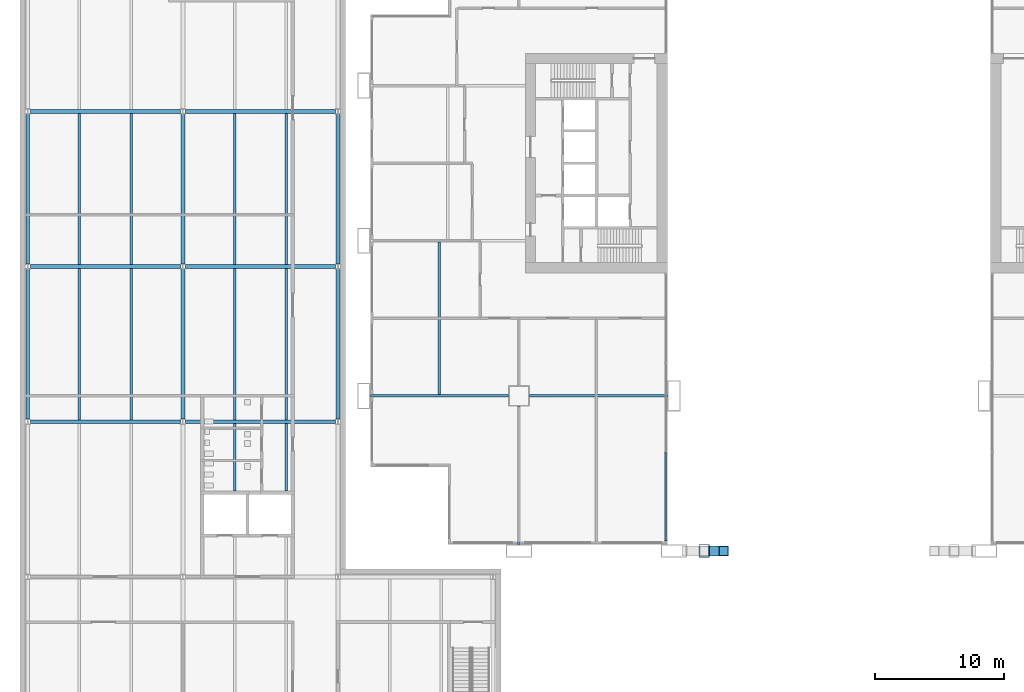
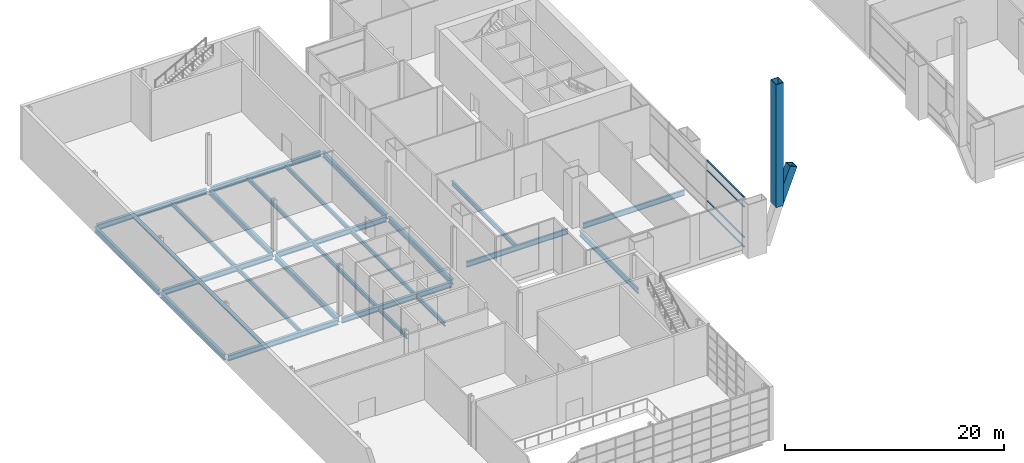
# One storey, part 11 of 30: 26 beams, 6 members, 1 element without a shape of its own.
"""IFC4 building model written with IfcOpenShell, lengths in metres."""

from ifc_helpers import new_model, si_unit, direction, frame, origin, origin_2d, place, context, subcontext, project, spatial, rectangle, hollow_rectangle, i_section, extrude, material, material_profile, profile_set, type_object, element, aggregate, save


model = new_model("IFC4")

# Units and contexts
model_context = context("Model", 3, precision=1e-05, world=origin(), true_north=direction((0.0, 1.0)))
body_context = subcontext(model_context, "Body", "Model", "MODEL_VIEW")
ifc_project = project(units=[si_unit("LENGTHUNIT", "METRE"), si_unit("AREAUNIT", "SQUARE_METRE"), si_unit("VOLUMEUNIT", "CUBIC_METRE"), si_unit("PLANEANGLEUNIT", "RADIAN"), si_unit("MASSUNIT", "GRAM", prefix="KILO")], contexts=[model_context])

# Site, building, storey
site_placement = place(None, origin())
site = spatial("IfcSite", under=ifc_project, at=site_placement, CompositionType="ELEMENT")
building_placement = place(site_placement, origin())
building = spatial("IfcBuilding", under=site, at=building_placement, Name="Kitamizu Gate Tower and Museum", CompositionType="ELEMENT")
storey_placement = place(building_placement, frame((0.0, 0.0, 6.0)))
storey = spatial("IfcBuildingStorey", under=building, at=storey_placement, Name="L01", CompositionType="ELEMENT", Elevation=6.0)

# Members
ifc_material_1 = material(Name="Steel SM490A bronze coated", Category="steel")
ifc_material_profile_1 = material_profile(ifc_material_1, hollow_rectangle(XDim=0.800048828125, YDim=0.800048828125, WallThickness=0.050048828125, at=origin_2d()), Name="BOX 800x800x50")
ifc_profile_set_1 = profile_set([ifc_material_profile_1], Name="Steel SM490A bronze coated")
member_type_1 = type_object("IfcMemberType", Name="Arch rib AR1 BOX 800x800x50", PredefinedType="USERDEFINED", material=ifc_profile_set_1)
member_1_placement = place(storey_placement, frame((26.335205078125, 0.0, 4.272705078125), z_axis=(0.363855278382, 0.0, 0.931455493512), x_axis=(0.0, 1.0, 0.0)))
element("IfcMember", 1, at=member_1_placement, inside=storey, type_object=member_type_1, Name="Arch rib SW-2", ObjectType="ARCH RIB", PredefinedType="USERDEFINED", context=body_context, shape_type="SweptSolid", body=[
    extrude(hollow_rectangle(XDim=0.800048828125, YDim=0.800048828125, WallThickness=0.050048828125, at=origin_2d()), origin(), (0.0, 0.0, 1.0), 4.179443359375),
])
ifc_material_2 = material(Name="Steel SM490A bronze coated", Category="steel")
ifc_material_profile_2 = material_profile(ifc_material_2, hollow_rectangle(XDim=0.800048828125, YDim=1.0, WallThickness=0.054931640625, at=origin_2d()), Name="BOX 800x1000x55")
ifc_profile_set_2 = profile_set([ifc_material_profile_2], Name="Steel SM490A bronze coated")
member_type_2 = type_object("IfcMemberType", Name="Arch rib tie post AP3 BOX 800x1000x55", PredefinedType="USERDEFINED", material=ifc_profile_set_2)
member_2_placement = place(storey_placement, frame((26.335205078125, 0.0, 4.272705078125), z_axis=(0.0, 0.0, 1.0), x_axis=(1.0, 0.0, 0.0)))
element("IfcMember", 2, at=member_2_placement, inside=storey, type_object=member_type_2, Name="Arch rib tie post SW-1", ObjectType="ARCH POST", PredefinedType="USERDEFINED", context=body_context, shape_type="SweptSolid", body=[
    extrude(hollow_rectangle(XDim=0.800048828125, YDim=1.0, WallThickness=0.054931640625, at=origin_2d()), origin(), (0.0, 0.0, 1.0), 13.727294921875),
])

# Beams
ifc_material_3 = material(Name="Steel SM490A", Category="steel")
ifc_material_profile_3 = material_profile(ifc_material_3, i_section(OverallWidth=0.199951171875, OverallDepth=0.5, WebThickness=0.010009765625, FlangeThickness=0.01611328125, FilletRadius=0.02001953125, at=origin_2d()), Name="H-500x200x10x16")
ifc_profile_set_3 = profile_set([ifc_material_profile_3], Name="Steel SM490A")
beam_type_1 = type_object("IfcBeamType", Name="Floor beam FB1 H 500x200x10x16", PredefinedType="BEAM", material=ifc_profile_set_3)
beam_placement = place(storey_placement, frame((5.85009765625, 12.10009765625, -0.64990234375), z_axis=(0.0, 1.0, 0.0), x_axis=(-1.0, 0.0, 0.0)))
element("IfcBeam", 3, at=beam_placement, inside=storey, type_object=beam_type_1, Name="Floor beam FB1 L01-1", PredefinedType="BEAM", context=body_context, shape_type="SweptSolid", body=[
    extrude(i_section(OverallWidth=0.199951171875, OverallDepth=0.5, WebThickness=0.010009765625, FlangeThickness=0.01611328125, FilletRadius=0.02001953125, at=origin_2d()), origin(), (0.0, 0.0, 1.0), 11.7998046875),
])
ifc_material_4 = material(Name="Steel SM490A", Category="steel")
ifc_material_profile_4 = material_profile(ifc_material_4, i_section(OverallWidth=0.199951171875, OverallDepth=0.60009765625, WebThickness=0.010986328125, FlangeThickness=0.01708984375, FilletRadius=0.02197265625, at=origin_2d()), Name="H-600x200x11x17")
ifc_profile_set_4 = profile_set([ifc_material_profile_4], Name="Steel SM490A")
beam_type_2 = type_object("IfcBeamType", Name="Floor girder FG1 H 600x200x11x17", PredefinedType="BEAM", material=ifc_profile_set_4)
for number, where, z_axis, x_axis, name in (
    (4, (12.0, 0.5, -0.699951171875), (0.0, 1.0, 0.0), (-1.0, 0.0, 0.0), "Floor girder FG1 x12 L01"),
    (5, (0.5, 12.0, -0.699951171875), (1.0, 0.0, 0.0), (0.0, 1.0, 0.0), "Floor girder FG1 y12 L01"),
    (6, (12.800048828125, 12.0, -0.699951171875), (1.0, 0.0, 0.0), (0.0, 1.0, 0.0), "Floor girder FG1 y12 L01"),
):
    element("IfcBeam", number, at=place(storey_placement, frame(where, z_axis=z_axis, x_axis=x_axis)), inside=storey, type_object=beam_type_2, Name=name, PredefinedType="BEAM", context=body_context, shape_type="SweptSolid", body=[
        extrude(i_section(OverallWidth=0.199951171875, OverallDepth=0.60009765625, WebThickness=0.010986328125, FlangeThickness=0.01708984375, FilletRadius=0.02197265625, at=origin_2d()), origin(), (0.0, 0.0, 1.0), 10.699951171875),
    ])
ifc_material_5 = material(Name="Steel SS400", Category="steel")
ifc_material_profile_5 = material_profile(ifc_material_5, i_section(OverallWidth=0.300048828125, OverallDepth=0.587890625, WebThickness=0.011962890625, FlangeThickness=0.02001953125, FilletRadius=0.028076171875, at=origin_2d()), Name="H-588x300x12x20")
ifc_profile_set_5 = profile_set([ifc_material_profile_5], Name="Steel SS400")
beam_type_3 = type_object("IfcBeamType", Name="Museum girder H 588x300x12x20", PredefinedType="BEAM", material=ifc_profile_set_5)
for number, where, z_axis, x_axis, name in (
    (7, (-25.800048828125, 10.0, -0.694091796875), (1.0, 0.0, 0.0), (0.0, 1.0, 0.0), "Girder xM1M2MD"),
    (8, (-25.800048828125, 22.0, -0.694091796875), (1.0, 0.0, 0.0), (0.0, 1.0, 0.0), "Girder xM1M2ME"),
    (9, (-25.800048828125, 34.0, -0.694091796875), (1.0, 0.0, 0.0), (0.0, 1.0, 0.0), "Girder xM1M2MF"),
    (10, (-13.800048828125, 10.0, -0.694091796875), (1.0, 0.0, 0.0), (0.0, 1.0, 0.0), "Girder xM2M3MD"),
    (11, (-13.800048828125, 22.0, -0.694091796875), (1.0, 0.0, 0.0), (0.0, 1.0, 0.0), "Girder xM2M3ME"),
    (12, (-13.800048828125, 34.0, -0.694091796875), (1.0, 0.0, 0.0), (0.0, 1.0, 0.0), "Girder xM2M3MF"),
    (13, (-26.0, 10.199951171875, -0.694091796875), (0.0, 1.0, 0.0), (-1.0, 0.0, 0.0), "Girder yM1MDME"),
    (14, (-14.0, 10.199951171875, -0.694091796875), (0.0, 1.0, 0.0), (-1.0, 0.0, 0.0), "Girder yM2MDME"),
    (15, (-2.0, 10.199951171875, -0.694091796875), (0.0, 1.0, 0.0), (-1.0, 0.0, 0.0), "Girder yM3MDME"),
    (16, (-26.0, 22.199951171875, -0.694091796875), (0.0, 1.0, 0.0), (-1.0, 0.0, 0.0), "Girder yM1MEMF"),
    (17, (-14.0, 22.199951171875, -0.694091796875), (0.0, 1.0, 0.0), (-1.0, 0.0, 0.0), "Girder yM2MEMF"),
    (18, (-2.0, 22.199951171875, -0.694091796875), (0.0, 1.0, 0.0), (-1.0, 0.0, 0.0), "Girder yM3MEMF"),
):
    element("IfcBeam", number, at=place(storey_placement, frame(where, z_axis=z_axis, x_axis=x_axis)), inside=storey, type_object=beam_type_3, Name=name, PredefinedType="BEAM", context=body_context, shape_type="SweptSolid", body=[
        extrude(i_section(OverallWidth=0.300048828125, OverallDepth=0.587890625, WebThickness=0.011962890625, FlangeThickness=0.02001953125, FilletRadius=0.028076171875, at=origin_2d()), origin(), (0.0, 0.0, 1.0), 11.60009765625),
    ])
ifc_material_6 = material(Name="Steel SS400", Category="steel")
ifc_material_profile_6 = material_profile(ifc_material_6, i_section(OverallWidth=0.199951171875, OverallDepth=0.449951171875, WebThickness=0.009033203125, FlangeThickness=0.013916015625, FilletRadius=0.01806640625, at=origin_2d()), Name="H-450x200x9x14")
ifc_profile_set_6 = profile_set([ifc_material_profile_6], Name="Steel SS400")
beam_type_4 = type_object("IfcBeamType", Name="Museum secondary beam H 450x200x9x14", PredefinedType="JOIST", material=ifc_profile_set_6)
for number, where, z_axis, x_axis, name in (
    (19, (-22.0, 10.14990234375, -0.625), (0.0, 1.0, 0.0), (-1.0, 0.0, 0.0), "Secondary beam M1M2MDME.1"),
    (20, (-18.0, 10.14990234375, -0.625), (0.0, 1.0, 0.0), (-1.0, 0.0, 0.0), "Secondary beam M1M2MDME.2"),
    (21, (-22.0, 22.14990234375, -0.625), (0.0, 1.0, 0.0), (-1.0, 0.0, 0.0), "Secondary beam M1M2MEMF.1"),
    (22, (-18.0, 22.14990234375, -0.625), (0.0, 1.0, 0.0), (-1.0, 0.0, 0.0), "Secondary beam M1M2MEMF.2"),
):
    element("IfcBeam", number, at=place(storey_placement, frame(where, z_axis=z_axis, x_axis=x_axis)), inside=storey, type_object=beam_type_4, Name=name, PredefinedType="JOIST", context=body_context, shape_type="SweptSolid", body=[
        extrude(i_section(OverallWidth=0.199951171875, OverallDepth=0.449951171875, WebThickness=0.009033203125, FlangeThickness=0.013916015625, FilletRadius=0.01806640625, at=origin_2d()), origin(), (0.0, 0.0, 1.0), 11.7001953125),
    ])
for number, where, z_axis, x_axis, name in (
    (23, (-10.0, 4.625, -0.625), (0.0, 1.0, 0.0), (-1.0, 0.0, 0.0), "Secondary beam M2M3MCMD.1"),
    (24, (-6.0, 4.625, -0.625), (0.0, 1.0, 0.0), (-1.0, 0.0, 0.0), "Secondary beam M2M3MCMD.2"),
):
    element("IfcBeam", number, at=place(storey_placement, frame(where, z_axis=z_axis, x_axis=x_axis)), inside=storey, type_object=beam_type_4, Name=name, PredefinedType="JOIST", context=body_context, shape_type="SweptSolid", body=[
        extrude(i_section(OverallWidth=0.199951171875, OverallDepth=0.449951171875, WebThickness=0.009033203125, FlangeThickness=0.013916015625, FilletRadius=0.01806640625, at=origin_2d()), origin(), (0.0, 0.0, 1.0), 5.22509765625),
    ])
for number, where, z_axis, x_axis, name in (
    (25, (-10.0, 10.14990234375, -0.625), (0.0, 1.0, 0.0), (-1.0, 0.0, 0.0), "Secondary beam M2M3MDME.1"),
    (26, (-6.0, 10.14990234375, -0.625), (0.0, 1.0, 0.0), (-1.0, 0.0, 0.0), "Secondary beam M2M3MDME.2"),
    (27, (-10.0, 22.14990234375, -0.625), (0.0, 1.0, 0.0), (-1.0, 0.0, 0.0), "Secondary beam M2M3MEMF.1"),
    (28, (-6.0, 22.14990234375, -0.625), (0.0, 1.0, 0.0), (-1.0, 0.0, 0.0), "Secondary beam M2M3MEMF.2"),
):
    element("IfcBeam", number, at=place(storey_placement, frame(where, z_axis=z_axis, x_axis=x_axis)), inside=storey, type_object=beam_type_4, Name=name, PredefinedType="JOIST", context=body_context, shape_type="SweptSolid", body=[
        extrude(i_section(OverallWidth=0.199951171875, OverallDepth=0.449951171875, WebThickness=0.009033203125, FlangeThickness=0.013916015625, FilletRadius=0.01806640625, at=origin_2d()), origin(), (0.0, 0.0, 1.0), 11.7001953125),
    ])

# Curtain wall, members
ifc_material_7 = material(Name="Bronze anodised aluminium frame, tinted triple glazing", Category="aluminium")
curtain_wall_type = type_object("IfcCurtainWallType", Name="CURTAIN WALL TYPE A PODIUM", PredefinedType="NOTDEFINED", material=ifc_material_7)
curtain_wall_placement = place(storey_placement, origin())
curtain_wall = element("IfcCurtainWall", 29, at=curtain_wall_placement, inside=storey, type_object=curtain_wall_type, Name="Curtain wall CW-A east L01", PredefinedType="NOTDEFINED")
ifc_material_8 = material(Name="Bronze anodised aluminium", Category="aluminium")
ifc_material_profile_7 = material_profile(ifc_material_8, rectangle(XDim=0.14990234375, YDim=0.080078125, at=origin_2d()), Name="AL 80X150")
ifc_profile_set_7 = profile_set([ifc_material_profile_7], Name="Bronze anodised aluminium")
member_type_3 = type_object("IfcMemberType", Name="TRANSOM 80 X 150 TYPE A", PredefinedType="USERDEFINED", material=ifc_profile_set_7)
member_3_placement = place(storey_placement, frame((23.364990234375, 0.800048828125, 0.0400390625), z_axis=(0.0, 1.0, 0.0), x_axis=(-1.0, 0.0, 0.0)))
member_3 = element("IfcMember", 30, at=member_3_placement, type_object=member_type_3, Name="CW-A transom 1.1", ObjectType="TRANSOM", PredefinedType="USERDEFINED", context=body_context, shape_type="SweptSolid", body=[
    extrude(rectangle(XDim=0.14990234375, YDim=0.080078125, at=origin_2d()), origin(), (0.0, 0.0, 1.0), 6.794921875),
])
member_4_placement = place(storey_placement, frame((23.364990234375, 0.800048828125, 1.10009765625), z_axis=(0.0, 1.0, 0.0), x_axis=(-1.0, 0.0, 0.0)))
member_4 = element("IfcMember", 31, at=member_4_placement, type_object=member_type_3, Name="CW-A transom 1.2", ObjectType="TRANSOM", PredefinedType="USERDEFINED", context=body_context, shape_type="SweptSolid", body=[
    extrude(rectangle(XDim=0.14990234375, YDim=0.080078125, at=origin_2d()), origin(), (0.0, 0.0, 1.0), 6.794921875),
])
member_5_placement = place(storey_placement, frame((23.364990234375, 0.800048828125, 4.5), z_axis=(0.0, 1.0, 0.0), x_axis=(-1.0, 0.0, 0.0)))
member_5 = element("IfcMember", 32, at=member_5_placement, type_object=member_type_3, Name="CW-A transom 1.3", ObjectType="TRANSOM", PredefinedType="USERDEFINED", context=body_context, shape_type="SweptSolid", body=[
    extrude(rectangle(XDim=0.14990234375, YDim=0.080078125, at=origin_2d()), origin(), (0.0, 0.0, 1.0), 6.794921875),
])
member_6_placement = place(storey_placement, frame((23.364990234375, 0.800048828125, 5.56005859375), z_axis=(0.0, 1.0, 0.0), x_axis=(-1.0, 0.0, 0.0)))
member_6 = element("IfcMember", 33, at=member_6_placement, type_object=member_type_3, Name="CW-A transom 1.4", ObjectType="TRANSOM", PredefinedType="USERDEFINED", context=body_context, shape_type="SweptSolid", body=[
    extrude(rectangle(XDim=0.14990234375, YDim=0.080078125, at=origin_2d()), origin(), (0.0, 0.0, 1.0), 6.794921875),
])
aggregate(curtain_wall, [member_3, member_4, member_5, member_6])

save(model, "model.ifc")
